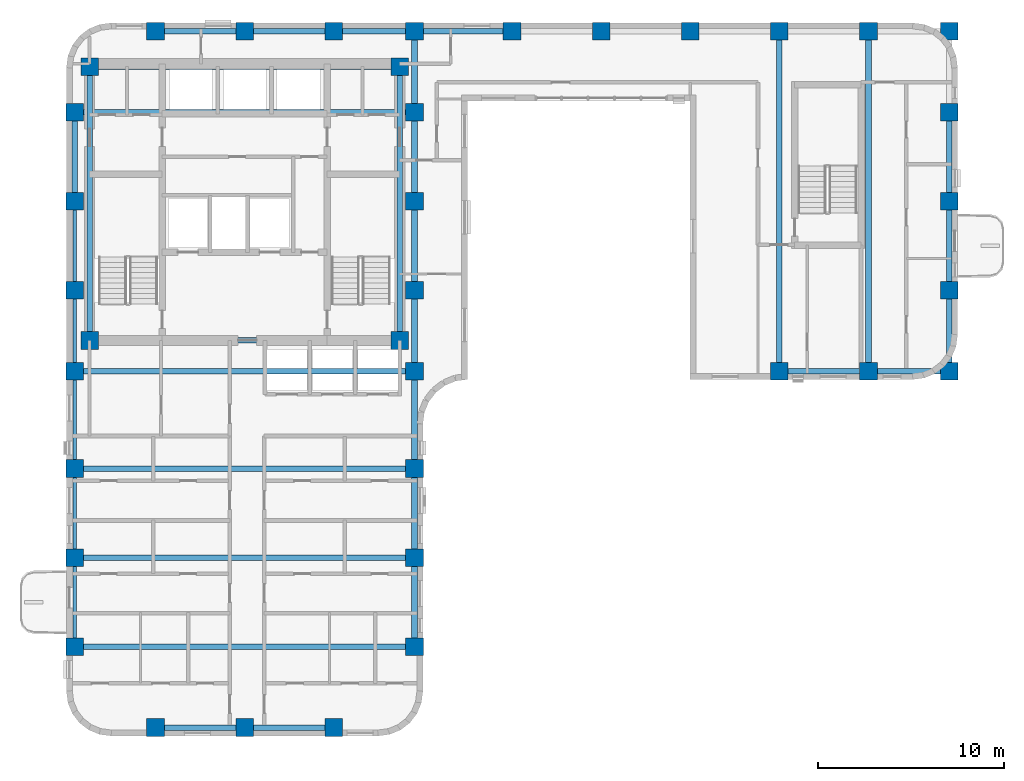
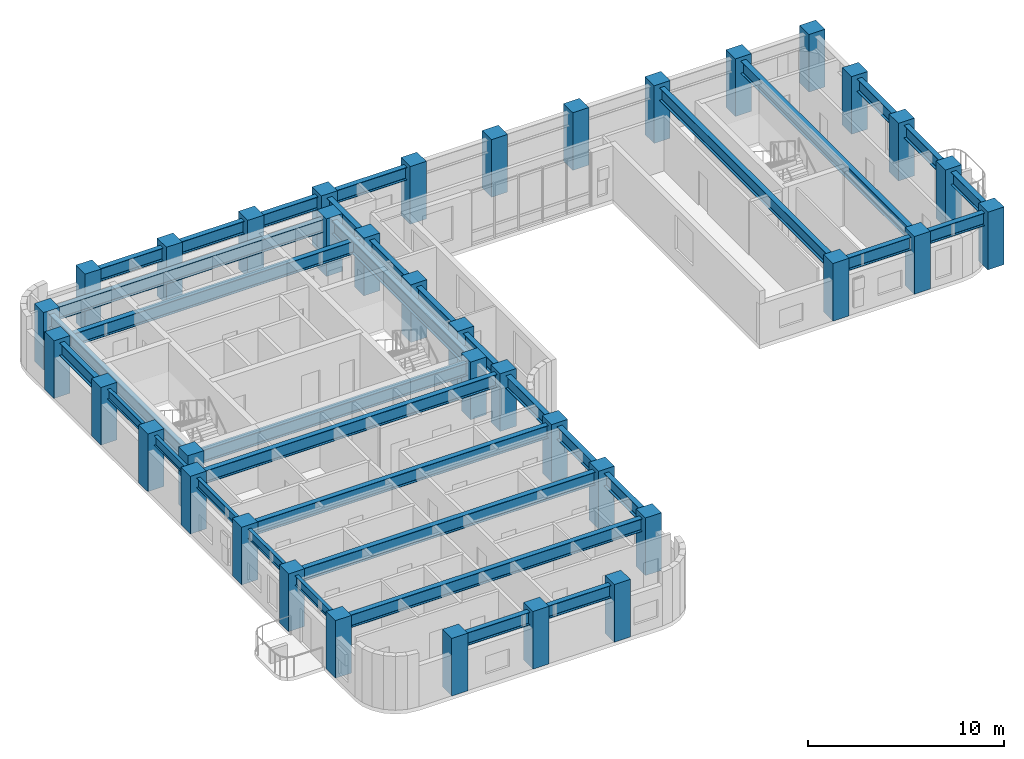
# One storey, part 1 of 11: 37 columns, 35 beams.
"""IFC4 building model written with IfcOpenShell, lengths in metres."""

from ifc_helpers import new_model, si_unit, direction, frame, origin, origin_2d, place, context, subcontext, project, spatial, rectangle, i_section, extrude, material, material_profile, profile_set, type_object, element, save


model = new_model("IFC4")

# Units and contexts
model_context = context("Model", 3, precision=1e-05, world=origin(), true_north=direction((0.0, 1.0)))
body_context = subcontext(model_context, "Body", "Model", "MODEL_VIEW")
ifc_project = project(units=[si_unit("LENGTHUNIT", "METRE"), si_unit("AREAUNIT", "SQUARE_METRE"), si_unit("VOLUMEUNIT", "CUBIC_METRE"), si_unit("PLANEANGLEUNIT", "RADIAN"), si_unit("MASSUNIT", "GRAM", prefix="KILO")], contexts=[model_context])

# Site, building, storey
site_placement = place(None, origin())
site = spatial("IfcSite", under=ifc_project, at=site_placement, CompositionType="ELEMENT")
building_placement = place(site_placement, origin())
building = spatial("IfcBuilding", under=site, at=building_placement, Name="Orvandelia Arch Residences", CompositionType="ELEMENT")
storey_placement = place(building_placement, frame((0.0, 0.0, 168.39990234375)))
storey = spatial("IfcBuildingStorey", under=building, at=storey_placement, Name="L44", CompositionType="ELEMENT", Elevation=168.39990234375)

# Columns
ifc_material_1 = material(Name="Concrete C60/75", Category="concrete")
ifc_material_profile_1 = material_profile(ifc_material_1, rectangle(XDim=0.949951171875, YDim=0.949951171875, at=origin_2d()), Name="Concrete C60/75", Category="concrete")
ifc_profile_set_1 = profile_set([ifc_material_profile_1], Name="Concrete C60/75")
column_type = type_object("IfcColumnType", Name="COL-TWR-950", PredefinedType="COLUMN", material=ifc_profile_set_1)
for number, where, z_axis, x_axis, name in (
    (1, (5.25, 14.39990234375, 0.0), (0.0, 0.0, 1.0), (1.0, 0.0, 0.0), "Structural Column L44-W-W-144"),
    (2, (5.25, 19.199951171875, 0.0), (0.0, 0.0, 1.0), (1.0, 0.0, 0.0), "Structural Column L44-W-W-192"),
    (3, (5.25, 24.0, 0.0), (0.0, 0.0, 1.0), (1.0, 0.0, 0.0), "Structural Column L44-W-W-240"),
    (4, (5.25, 29.25, 0.0), (0.0, 0.0, 1.0), (1.0, 0.0, 0.0), "Structural Column L44-W-W-292"),
    (5, (5.25, 33.60009765625, 0.0), (0.0, 0.0, 1.0), (1.0, 0.0, 0.0), "Structural Column L44-W-W-336"),
    (6, (5.25, 38.39990234375, 0.0), (0.0, 0.0, 1.0), (1.0, 0.0, 0.0), "Structural Column L44-W-W-384"),
    (7, (5.25, 43.199951171875, 0.0), (0.0, 0.0, 1.0), (1.0, 0.0, 0.0), "Structural Column L44-W-W-432"),
    (8, (6.050048828125, 30.89990234375, 0.0), (0.0, 0.0, 1.0), (1.0, 0.0, 0.0), "Structural Column L44-CR-SW"),
    (9, (6.050048828125, 45.64990234375, 0.0), (0.0, 0.0, 1.0), (1.0, 0.0, 0.0), "Structural Column L44-CR-NW"),
    (10, (9.60009765625, 10.050048828125, 0.0), (0.0, 0.0, 1.0), (1.0, 0.0, 0.0), "Structural Column L44-W-S-96"),
    (11, (9.60009765625, 47.550048828125, 0.0), (0.0, 0.0, 1.0), (1.0, 0.0, 0.0), "Structural Column L44-W-N-96"),
    (12, (14.39990234375, 10.050048828125, 0.0), (0.0, 0.0, 1.0), (1.0, 0.0, 0.0), "Structural Column L44-W-S-144"),
    (13, (14.39990234375, 47.550048828125, 0.0), (0.0, 0.0, 1.0), (1.0, 0.0, 0.0), "Structural Column L44-W-N-144"),
    (14, (19.199951171875, 10.050048828125, 0.0), (0.0, 0.0, 1.0), (1.0, 0.0, 0.0), "Structural Column L44-W-S-192"),
    (15, (19.199951171875, 47.550048828125, 0.0), (0.0, 0.0, 1.0), (1.0, 0.0, 0.0), "Structural Column L44-W-N-192"),
    (16, (22.75, 30.89990234375, 0.0), (0.0, 0.0, 1.0), (1.0, 0.0, 0.0), "Structural Column L44-CR-SE"),
    (17, (22.75, 45.64990234375, 0.0), (0.0, 0.0, 1.0), (1.0, 0.0, 0.0), "Structural Column L44-CR-NE"),
    (18, (23.550048828125, 14.39990234375, 0.0), (0.0, 0.0, 1.0), (1.0, 0.0, 0.0), "Structural Column L44-W-E-144"),
    (19, (23.550048828125, 19.199951171875, 0.0), (0.0, 0.0, 1.0), (1.0, 0.0, 0.0), "Structural Column L44-W-E-192"),
    (20, (23.550048828125, 24.0, 0.0), (0.0, 0.0, 1.0), (1.0, 0.0, 0.0), "Structural Column L44-W-E-240"),
    (21, (23.550048828125, 29.25, 0.0), (0.0, 0.0, 1.0), (1.0, 0.0, 0.0), "Structural Column L44-W-E-292"),
    (22, (23.550048828125, 33.60009765625, 0.0), (0.0, 0.0, 1.0), (1.0, 0.0, 0.0), "Structural Column L44-W-E-336"),
    (23, (23.550048828125, 38.39990234375, 0.0), (0.0, 0.0, 1.0), (1.0, 0.0, 0.0), "Structural Column L44-W-E-384"),
    (24, (23.550048828125, 43.199951171875, 0.0), (0.0, 0.0, 1.0), (1.0, 0.0, 0.0), "Structural Column L44-W-E-432"),
    (25, (23.550048828125, 47.550048828125, 0.0), (0.0, 0.0, 1.0), (1.0, 0.0, 0.0), "Structural Column L44-W-N-235"),
    (26, (28.800048828125, 47.550048828125, 0.0), (0.0, 0.0, 1.0), (1.0, 0.0, 0.0), "Structural Column L44-E-N-288"),
    (27, (33.60009765625, 47.550048828125, 0.0), (0.0, 0.0, 1.0), (1.0, 0.0, 0.0), "Structural Column L44-E-N-336"),
    (28, (38.39990234375, 47.550048828125, 0.0), (0.0, 0.0, 1.0), (1.0, 0.0, 0.0), "Structural Column L44-E-N-384"),
    (29, (43.199951171875, 29.25, 0.0), (0.0, 0.0, 1.0), (1.0, 0.0, 0.0), "Structural Column L44-E-S-432"),
    (30, (43.199951171875, 47.550048828125, 0.0), (0.0, 0.0, 1.0), (1.0, 0.0, 0.0), "Structural Column L44-E-N-432"),
    (31, (48.0, 29.25, 0.0), (0.0, 0.0, 1.0), (1.0, 0.0, 0.0), "Structural Column L44-E-S-480"),
    (32, (48.0, 47.550048828125, 0.0), (0.0, 0.0, 1.0), (1.0, 0.0, 0.0), "Structural Column L44-E-N-480"),
    (33, (52.35009765625, 29.25, 0.0), (0.0, 0.0, 1.0), (1.0, 0.0, 0.0), "Structural Column L44-E-S-523"),
    (34, (52.35009765625, 33.60009765625, 0.0), (0.0, 0.0, 1.0), (1.0, 0.0, 0.0), "Structural Column L44-E-523-336"),
    (35, (52.35009765625, 38.39990234375, 0.0), (0.0, 0.0, 1.0), (1.0, 0.0, 0.0), "Structural Column L44-E-523-384"),
    (36, (52.35009765625, 43.199951171875, 0.0), (0.0, 0.0, 1.0), (1.0, 0.0, 0.0), "Structural Column L44-E-523-432"),
    (37, (52.35009765625, 47.550048828125, 0.0), (0.0, 0.0, 1.0), (1.0, 0.0, 0.0), "Structural Column L44-E-N-523"),
):
    element("IfcColumn", number, at=place(storey_placement, frame(where, z_axis=z_axis, x_axis=x_axis)), inside=storey, type_object=column_type, Name=name, PredefinedType="COLUMN", context=body_context, shape_type="SweptSolid", body=[
        extrude(rectangle(XDim=0.949951171875, YDim=0.949951171875, at=origin_2d()), origin(), (0.0, 0.0, 1.0), 3.60009765625),
    ])

# Beams
ifc_material_2 = material(Name="Structural Steel SM355 (355 MPa)", Category="steel")
ifc_material_profile_2 = material_profile(ifc_material_2, i_section(OverallWidth=0.300048828125, OverallDepth=0.800048828125, WebThickness=0.013916015625, FlangeThickness=0.02587890625, FilletRadius=0.02587890625, at=origin_2d()), Name="Structural Steel SM355 (355 MPa)", Category="steel")
ifc_profile_set_2 = profile_set([ifc_material_profile_2], Name="Structural Steel SM355 (355 MPa)")
beam_type_1 = type_object("IfcBeamType", Name="BM-GRD-H800", PredefinedType="BEAM", material=ifc_profile_set_2)
beam_1_placement = place(storey_placement, frame((5.25, 38.39990234375, 2.960205078125), z_axis=(0.0, 1.0, 0.0), x_axis=(-1.0, 0.0, 0.0)))
element("IfcBeam", 38, at=beam_1_placement, inside=storey, type_object=beam_type_1, Name="Structural Frame Beam L44-NS-006", PredefinedType="BEAM", context=body_context, shape_type="SweptSolid", body=[
    extrude(i_section(OverallWidth=0.300048828125, OverallDepth=0.800048828125, WebThickness=0.013916015625, FlangeThickness=0.02587890625, FilletRadius=0.02587890625, at=origin_2d()), origin(), (0.0, 0.0, 1.0), 4.800048828125),
])
for number, where, z_axis, x_axis, name in (
    (39, (6.050048828125, 30.89990234375, 2.960205078125), (0.0, 1.0, 0.0), (-1.0, 0.0, 0.0), "Structural Frame Beam L44-NS-007"),
    (40, (22.75, 30.89990234375, 2.960205078125), (0.0, 1.0, 0.0), (-1.0, 0.0, 0.0), "Structural Frame Beam L44-NS-008"),
):
    element("IfcBeam", number, at=place(storey_placement, frame(where, z_axis=z_axis, x_axis=x_axis)), inside=storey, type_object=beam_type_1, Name=name, PredefinedType="BEAM", context=body_context, shape_type="SweptSolid", body=[
        extrude(i_section(OverallWidth=0.300048828125, OverallDepth=0.800048828125, WebThickness=0.013916015625, FlangeThickness=0.02587890625, FilletRadius=0.02587890625, at=origin_2d()), origin(), (0.0, 0.0, 1.0), 14.75),
    ])
for number, where, z_axis, x_axis, name in (
    (41, (23.550048828125, 14.39990234375, 2.960205078125), (0.0, 1.0, 0.0), (-1.0, 0.0, 0.0), "Structural Frame Beam L44-NS-009"),
    (42, (23.550048828125, 19.199951171875, 2.960205078125), (0.0, 1.0, 0.0), (-1.0, 0.0, 0.0), "Structural Frame Beam L44-NS-010"),
):
    element("IfcBeam", number, at=place(storey_placement, frame(where, z_axis=z_axis, x_axis=x_axis)), inside=storey, type_object=beam_type_1, Name=name, PredefinedType="BEAM", context=body_context, shape_type="SweptSolid", body=[
        extrude(i_section(OverallWidth=0.300048828125, OverallDepth=0.800048828125, WebThickness=0.013916015625, FlangeThickness=0.02587890625, FilletRadius=0.02587890625, at=origin_2d()), origin(), (0.0, 0.0, 1.0), 4.800048828125),
    ])
beam_2_placement = place(storey_placement, frame((23.550048828125, 24.0, 2.960205078125), z_axis=(0.0, 1.0, 0.0), x_axis=(-1.0, 0.0, 0.0)))
element("IfcBeam", 43, at=beam_2_placement, inside=storey, type_object=beam_type_1, Name="Structural Frame Beam L44-NS-011", PredefinedType="BEAM", context=body_context, shape_type="SweptSolid", body=[
    extrude(i_section(OverallWidth=0.300048828125, OverallDepth=0.800048828125, WebThickness=0.013916015625, FlangeThickness=0.02587890625, FilletRadius=0.02587890625, at=origin_2d()), origin(), (0.0, 0.0, 1.0), 5.25),
])
beam_3_placement = place(storey_placement, frame((23.550048828125, 29.25, 2.960205078125), z_axis=(0.0, 1.0, 0.0), x_axis=(-1.0, 0.0, 0.0)))
element("IfcBeam", 44, at=beam_3_placement, inside=storey, type_object=beam_type_1, Name="Structural Frame Beam L44-NS-012", PredefinedType="BEAM", context=body_context, shape_type="SweptSolid", body=[
    extrude(i_section(OverallWidth=0.300048828125, OverallDepth=0.800048828125, WebThickness=0.013916015625, FlangeThickness=0.02587890625, FilletRadius=0.02587890625, at=origin_2d()), origin(), (0.0, 0.0, 1.0), 4.35009765625),
])
beam_4_placement = place(storey_placement, frame((23.550048828125, 33.60009765625, 2.960205078125), z_axis=(0.0, 1.0, 0.0), x_axis=(-1.0, 0.0, 0.0)))
element("IfcBeam", 45, at=beam_4_placement, inside=storey, type_object=beam_type_1, Name="Structural Frame Beam L44-NS-013", PredefinedType="BEAM", context=body_context, shape_type="SweptSolid", body=[
    extrude(i_section(OverallWidth=0.300048828125, OverallDepth=0.800048828125, WebThickness=0.013916015625, FlangeThickness=0.02587890625, FilletRadius=0.02587890625, at=origin_2d()), origin(), (0.0, 0.0, 1.0), 4.7998046875),
])
beam_5_placement = place(storey_placement, frame((23.550048828125, 38.39990234375, 2.960205078125), z_axis=(0.0, 1.0, 0.0), x_axis=(-1.0, 0.0, 0.0)))
element("IfcBeam", 46, at=beam_5_placement, inside=storey, type_object=beam_type_1, Name="Structural Frame Beam L44-NS-014", PredefinedType="BEAM", context=body_context, shape_type="SweptSolid", body=[
    extrude(i_section(OverallWidth=0.300048828125, OverallDepth=0.800048828125, WebThickness=0.013916015625, FlangeThickness=0.02587890625, FilletRadius=0.02587890625, at=origin_2d()), origin(), (0.0, 0.0, 1.0), 4.800048828125),
])
beam_6_placement = place(storey_placement, frame((23.550048828125, 43.199951171875, 2.960205078125), z_axis=(0.0, 1.0, 0.0), x_axis=(-1.0, 0.0, 0.0)))
element("IfcBeam", 47, at=beam_6_placement, inside=storey, type_object=beam_type_1, Name="Structural Frame Beam L44-NS-015", PredefinedType="BEAM", context=body_context, shape_type="SweptSolid", body=[
    extrude(i_section(OverallWidth=0.300048828125, OverallDepth=0.800048828125, WebThickness=0.013916015625, FlangeThickness=0.02587890625, FilletRadius=0.02587890625, at=origin_2d()), origin(), (0.0, 0.0, 1.0), 4.35009765625),
])
for number, where, z_axis, x_axis, name in (
    (48, (43.199951171875, 29.25, 2.960205078125), (0.0, 1.0, 0.0), (-1.0, 0.0, 0.0), "Structural Frame Beam L44-NS-016"),
    (49, (48.0, 29.25, 2.960205078125), (0.0, 1.0, 0.0), (-1.0, 0.0, 0.0), "Structural Frame Beam L44-NS-017"),
):
    element("IfcBeam", number, at=place(storey_placement, frame(where, z_axis=z_axis, x_axis=x_axis)), inside=storey, type_object=beam_type_1, Name=name, PredefinedType="BEAM", context=body_context, shape_type="SweptSolid", body=[
        extrude(i_section(OverallWidth=0.300048828125, OverallDepth=0.800048828125, WebThickness=0.013916015625, FlangeThickness=0.02587890625, FilletRadius=0.02587890625, at=origin_2d()), origin(), (0.0, 0.0, 1.0), 18.300048828125),
    ])
beam_7_placement = place(storey_placement, frame((52.35009765625, 29.25, 2.960205078125), z_axis=(0.0, 1.0, 0.0), x_axis=(-1.0, 0.0, 0.0)))
element("IfcBeam", 50, at=beam_7_placement, inside=storey, type_object=beam_type_1, Name="Structural Frame Beam L44-NS-018", PredefinedType="BEAM", context=body_context, shape_type="SweptSolid", body=[
    extrude(i_section(OverallWidth=0.300048828125, OverallDepth=0.800048828125, WebThickness=0.013916015625, FlangeThickness=0.02587890625, FilletRadius=0.02587890625, at=origin_2d()), origin(), (0.0, 0.0, 1.0), 4.35009765625),
])
beam_8_placement = place(storey_placement, frame((52.35009765625, 33.60009765625, 2.960205078125), z_axis=(0.0, 1.0, 0.0), x_axis=(-1.0, 0.0, 0.0)))
element("IfcBeam", 51, at=beam_8_placement, inside=storey, type_object=beam_type_1, Name="Structural Frame Beam L44-NS-019", PredefinedType="BEAM", context=body_context, shape_type="SweptSolid", body=[
    extrude(i_section(OverallWidth=0.300048828125, OverallDepth=0.800048828125, WebThickness=0.013916015625, FlangeThickness=0.02587890625, FilletRadius=0.02587890625, at=origin_2d()), origin(), (0.0, 0.0, 1.0), 4.7998046875),
])
beam_9_placement = place(storey_placement, frame((52.35009765625, 38.39990234375, 2.960205078125), z_axis=(0.0, 1.0, 0.0), x_axis=(-1.0, 0.0, 0.0)))
element("IfcBeam", 52, at=beam_9_placement, inside=storey, type_object=beam_type_1, Name="Structural Frame Beam L44-NS-020", PredefinedType="BEAM", context=body_context, shape_type="SweptSolid", body=[
    extrude(i_section(OverallWidth=0.300048828125, OverallDepth=0.800048828125, WebThickness=0.013916015625, FlangeThickness=0.02587890625, FilletRadius=0.02587890625, at=origin_2d()), origin(), (0.0, 0.0, 1.0), 4.800048828125),
])
beam_10_placement = place(storey_placement, frame((9.60009765625, 10.050048828125, 2.960205078125), z_axis=(1.0, 0.0, 0.0), x_axis=(0.0, 1.0, 0.0)))
element("IfcBeam", 53, at=beam_10_placement, inside=storey, type_object=beam_type_1, Name="Structural Frame Girder L44-EW-022", PredefinedType="BEAM", context=body_context, shape_type="SweptSolid", body=[
    extrude(i_section(OverallWidth=0.300048828125, OverallDepth=0.800048828125, WebThickness=0.013916015625, FlangeThickness=0.02587890625, FilletRadius=0.02587890625, at=origin_2d()), origin(), (0.0, 0.0, 1.0), 4.7998046875),
])
beam_11_placement = place(storey_placement, frame((14.39990234375, 10.050048828125, 2.960205078125), z_axis=(1.0, 0.0, 0.0), x_axis=(0.0, 1.0, 0.0)))
element("IfcBeam", 54, at=beam_11_placement, inside=storey, type_object=beam_type_1, Name="Structural Frame Girder L44-EW-023", PredefinedType="BEAM", context=body_context, shape_type="SweptSolid", body=[
    extrude(i_section(OverallWidth=0.300048828125, OverallDepth=0.800048828125, WebThickness=0.013916015625, FlangeThickness=0.02587890625, FilletRadius=0.02587890625, at=origin_2d()), origin(), (0.0, 0.0, 1.0), 4.800048828125),
])
for number, where, z_axis, x_axis, name in (
    (55, (5.25, 14.39990234375, 2.960205078125), (1.0, 0.0, 0.0), (0.0, 1.0, 0.0), "Structural Frame Girder L44-EW-024"),
    (56, (5.25, 19.199951171875, 2.960205078125), (1.0, 0.0, 0.0), (0.0, 1.0, 0.0), "Structural Frame Girder L44-EW-025"),
    (57, (5.25, 24.0, 2.960205078125), (1.0, 0.0, 0.0), (0.0, 1.0, 0.0), "Structural Frame Girder L44-EW-026"),
    (58, (5.25, 29.25, 2.960205078125), (1.0, 0.0, 0.0), (0.0, 1.0, 0.0), "Structural Frame Girder L44-EW-027"),
):
    element("IfcBeam", number, at=place(storey_placement, frame(where, z_axis=z_axis, x_axis=x_axis)), inside=storey, type_object=beam_type_1, Name=name, PredefinedType="BEAM", context=body_context, shape_type="SweptSolid", body=[
        extrude(i_section(OverallWidth=0.300048828125, OverallDepth=0.800048828125, WebThickness=0.013916015625, FlangeThickness=0.02587890625, FilletRadius=0.02587890625, at=origin_2d()), origin(), (0.0, 0.0, 1.0), 18.300048828125),
    ])
beam_12_placement = place(storey_placement, frame((43.199951171875, 29.25, 2.960205078125), z_axis=(1.0, 0.0, 0.0), x_axis=(0.0, 1.0, 0.0)))
element("IfcBeam", 59, at=beam_12_placement, inside=storey, type_object=beam_type_1, Name="Structural Frame Girder L44-EW-028", PredefinedType="BEAM", context=body_context, shape_type="SweptSolid", body=[
    extrude(i_section(OverallWidth=0.300048828125, OverallDepth=0.800048828125, WebThickness=0.013916015625, FlangeThickness=0.02587890625, FilletRadius=0.02587890625, at=origin_2d()), origin(), (0.0, 0.0, 1.0), 4.800048828125),
])
beam_13_placement = place(storey_placement, frame((48.0, 29.25, 2.960205078125), z_axis=(1.0, 0.0, 0.0), x_axis=(0.0, 1.0, 0.0)))
element("IfcBeam", 60, at=beam_13_placement, inside=storey, type_object=beam_type_1, Name="Structural Frame Girder L44-EW-029", PredefinedType="BEAM", context=body_context, shape_type="SweptSolid", body=[
    extrude(i_section(OverallWidth=0.300048828125, OverallDepth=0.800048828125, WebThickness=0.013916015625, FlangeThickness=0.02587890625, FilletRadius=0.02587890625, at=origin_2d()), origin(), (0.0, 0.0, 1.0), 4.35009765625),
])
beam_14_placement = place(storey_placement, frame((6.050048828125, 30.89990234375, 2.960205078125), z_axis=(1.0, 0.0, 0.0), x_axis=(0.0, 1.0, 0.0)))
element("IfcBeam", 61, at=beam_14_placement, inside=storey, type_object=beam_type_1, Name="Structural Frame Girder L44-EW-030", PredefinedType="BEAM", context=body_context, shape_type="SweptSolid", body=[
    extrude(i_section(OverallWidth=0.300048828125, OverallDepth=0.800048828125, WebThickness=0.013916015625, FlangeThickness=0.02587890625, FilletRadius=0.02587890625, at=origin_2d()), origin(), (0.0, 0.0, 1.0), 16.699951171875),
])
beam_15_placement = place(storey_placement, frame((5.25, 43.199951171875, 2.960205078125), z_axis=(1.0, 0.0, 0.0), x_axis=(0.0, 1.0, 0.0)))
element("IfcBeam", 62, at=beam_15_placement, inside=storey, type_object=beam_type_1, Name="Structural Frame Girder L44-EW-033", PredefinedType="BEAM", context=body_context, shape_type="SweptSolid", body=[
    extrude(i_section(OverallWidth=0.300048828125, OverallDepth=0.800048828125, WebThickness=0.013916015625, FlangeThickness=0.02587890625, FilletRadius=0.02587890625, at=origin_2d()), origin(), (0.0, 0.0, 1.0), 18.300048828125),
])
beam_16_placement = place(storey_placement, frame((6.050048828125, 45.64990234375, 2.960205078125), z_axis=(1.0, 0.0, 0.0), x_axis=(0.0, 1.0, 0.0)))
element("IfcBeam", 63, at=beam_16_placement, inside=storey, type_object=beam_type_1, Name="Structural Frame Girder L44-EW-034", PredefinedType="BEAM", context=body_context, shape_type="SweptSolid", body=[
    extrude(i_section(OverallWidth=0.300048828125, OverallDepth=0.800048828125, WebThickness=0.013916015625, FlangeThickness=0.02587890625, FilletRadius=0.02587890625, at=origin_2d()), origin(), (0.0, 0.0, 1.0), 16.699951171875),
])
beam_17_placement = place(storey_placement, frame((9.60009765625, 47.550048828125, 2.960205078125), z_axis=(1.0, 0.0, 0.0), x_axis=(0.0, 1.0, 0.0)))
element("IfcBeam", 64, at=beam_17_placement, inside=storey, type_object=beam_type_1, Name="Structural Frame Girder L44-EW-035", PredefinedType="BEAM", context=body_context, shape_type="SweptSolid", body=[
    extrude(i_section(OverallWidth=0.300048828125, OverallDepth=0.800048828125, WebThickness=0.013916015625, FlangeThickness=0.02587890625, FilletRadius=0.02587890625, at=origin_2d()), origin(), (0.0, 0.0, 1.0), 4.7998046875),
])
beam_18_placement = place(storey_placement, frame((14.39990234375, 47.550048828125, 2.960205078125), z_axis=(1.0, 0.0, 0.0), x_axis=(0.0, 1.0, 0.0)))
element("IfcBeam", 65, at=beam_18_placement, inside=storey, type_object=beam_type_1, Name="Structural Frame Girder L44-EW-036", PredefinedType="BEAM", context=body_context, shape_type="SweptSolid", body=[
    extrude(i_section(OverallWidth=0.300048828125, OverallDepth=0.800048828125, WebThickness=0.013916015625, FlangeThickness=0.02587890625, FilletRadius=0.02587890625, at=origin_2d()), origin(), (0.0, 0.0, 1.0), 4.800048828125),
])
beam_19_placement = place(storey_placement, frame((19.199951171875, 47.550048828125, 2.960205078125), z_axis=(1.0, 0.0, 0.0), x_axis=(0.0, 1.0, 0.0)))
element("IfcBeam", 66, at=beam_19_placement, inside=storey, type_object=beam_type_1, Name="Structural Frame Girder L44-EW-037", PredefinedType="BEAM", context=body_context, shape_type="SweptSolid", body=[
    extrude(i_section(OverallWidth=0.300048828125, OverallDepth=0.800048828125, WebThickness=0.013916015625, FlangeThickness=0.02587890625, FilletRadius=0.02587890625, at=origin_2d()), origin(), (0.0, 0.0, 1.0), 4.35009765625),
])
beam_20_placement = place(storey_placement, frame((23.550048828125, 47.550048828125, 2.960205078125), z_axis=(1.0, 0.0, 0.0), x_axis=(0.0, 1.0, 0.0)))
element("IfcBeam", 67, at=beam_20_placement, inside=storey, type_object=beam_type_1, Name="Structural Frame Girder L44-EW-038", PredefinedType="BEAM", context=body_context, shape_type="SweptSolid", body=[
    extrude(i_section(OverallWidth=0.300048828125, OverallDepth=0.800048828125, WebThickness=0.013916015625, FlangeThickness=0.02587890625, FilletRadius=0.02587890625, at=origin_2d()), origin(), (0.0, 0.0, 1.0), 5.25),
])
ifc_material_profile_3 = material_profile(ifc_material_2, i_section(OverallWidth=0.199951171875, OverallDepth=0.60009765625, WebThickness=0.010986328125, FlangeThickness=0.01708984375, FilletRadius=0.02197265625, at=origin_2d()), Name="Structural Steel SM355 (355 MPa)", Category="steel")
ifc_profile_set_3 = profile_set([ifc_material_profile_3], Name="Structural Steel SM355 (355 MPa)")
beam_type_2 = type_object("IfcBeamType", Name="BM-SPN-H600", PredefinedType="SPANDREL", material=ifc_profile_set_3)
for number, where, z_axis, x_axis, name in (
    (68, (5.25, 14.39990234375, 3.06005859375), (0.0, 1.0, 0.0), (-1.0, 0.0, 0.0), "Structural Frame Beam L44-NS-001"),
    (69, (5.25, 19.199951171875, 3.06005859375), (0.0, 1.0, 0.0), (-1.0, 0.0, 0.0), "Structural Frame Beam L44-NS-002"),
):
    element("IfcBeam", number, at=place(storey_placement, frame(where, z_axis=z_axis, x_axis=x_axis)), inside=storey, type_object=beam_type_2, Name=name, PredefinedType="SPANDREL", context=body_context, shape_type="SweptSolid", body=[
        extrude(i_section(OverallWidth=0.199951171875, OverallDepth=0.60009765625, WebThickness=0.010986328125, FlangeThickness=0.01708984375, FilletRadius=0.02197265625, at=origin_2d()), origin(), (0.0, 0.0, 1.0), 4.800048828125),
    ])
beam_21_placement = place(storey_placement, frame((5.25, 24.0, 3.06005859375), z_axis=(0.0, 1.0, 0.0), x_axis=(-1.0, 0.0, 0.0)))
element("IfcBeam", 70, at=beam_21_placement, inside=storey, type_object=beam_type_2, Name="Structural Frame Beam L44-NS-003", PredefinedType="SPANDREL", context=body_context, shape_type="SweptSolid", body=[
    extrude(i_section(OverallWidth=0.199951171875, OverallDepth=0.60009765625, WebThickness=0.010986328125, FlangeThickness=0.01708984375, FilletRadius=0.02197265625, at=origin_2d()), origin(), (0.0, 0.0, 1.0), 5.25),
])
beam_22_placement = place(storey_placement, frame((5.25, 29.25, 3.06005859375), z_axis=(0.0, 1.0, 0.0), x_axis=(-1.0, 0.0, 0.0)))
element("IfcBeam", 71, at=beam_22_placement, inside=storey, type_object=beam_type_2, Name="Structural Frame Beam L44-NS-004", PredefinedType="SPANDREL", context=body_context, shape_type="SweptSolid", body=[
    extrude(i_section(OverallWidth=0.199951171875, OverallDepth=0.60009765625, WebThickness=0.010986328125, FlangeThickness=0.01708984375, FilletRadius=0.02197265625, at=origin_2d()), origin(), (0.0, 0.0, 1.0), 4.35009765625),
])
beam_23_placement = place(storey_placement, frame((5.25, 33.60009765625, 3.06005859375), z_axis=(0.0, 1.0, 0.0), x_axis=(-1.0, 0.0, 0.0)))
element("IfcBeam", 72, at=beam_23_placement, inside=storey, type_object=beam_type_2, Name="Structural Frame Beam L44-NS-005", PredefinedType="SPANDREL", context=body_context, shape_type="SweptSolid", body=[
    extrude(i_section(OverallWidth=0.199951171875, OverallDepth=0.60009765625, WebThickness=0.010986328125, FlangeThickness=0.01708984375, FilletRadius=0.02197265625, at=origin_2d()), origin(), (0.0, 0.0, 1.0), 4.7998046875),
])

save(model, "model.ifc")
